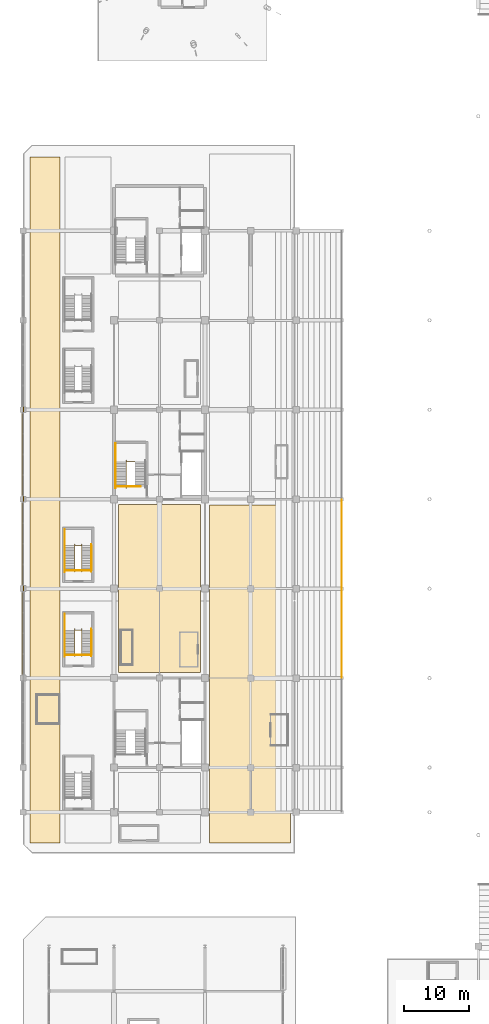
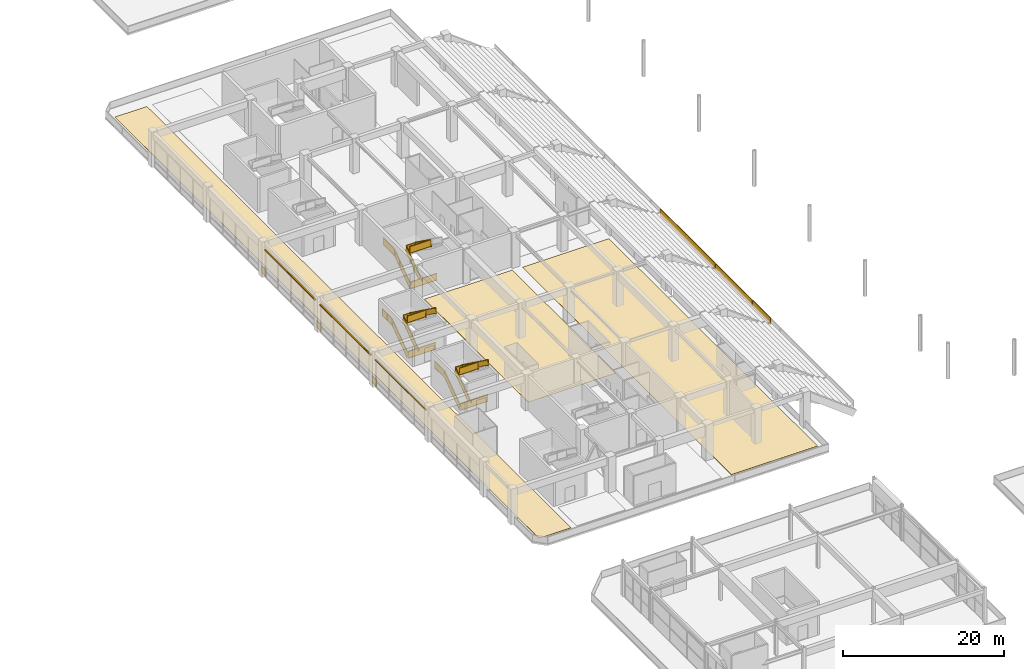
# One storey, part 107 of 117: 16 railings, 3 coverings, 3 shading devices.
"""IFC4 building model written with IfcOpenShell, lengths in metres."""

from ifc_helpers import new_model, si_unit, direction, frame, origin, origin_2d, place, context, subcontext, project, spatial, polyline, rectangle, outline, extrude, material, layer, layer_set, type_object, element, save


model = new_model("IFC4")

# Units and contexts
model_context = context("Model", 3, precision=1e-05, world=origin(), true_north=direction((0.0, 1.0)))
body_context = subcontext(model_context, "Body", "Model", "MODEL_VIEW")
ifc_project = project(units=[si_unit("LENGTHUNIT", "METRE"), si_unit("AREAUNIT", "SQUARE_METRE"), si_unit("VOLUMEUNIT", "CUBIC_METRE"), si_unit("PLANEANGLEUNIT", "RADIAN"), si_unit("MASSUNIT", "GRAM", prefix="KILO")], contexts=[model_context])

# Site, building, storey
site_placement = place(None, origin())
site = spatial("IfcSite", under=ifc_project, at=site_placement, CompositionType="ELEMENT")
building_placement = place(site_placement, origin())
building = spatial("IfcBuilding", under=site, at=building_placement, Name="Linyun Crest Stadium", CompositionType="ELEMENT")
storey_placement = place(building_placement, frame((0.0, 0.0, 6.0)))
storey = spatial("IfcBuildingStorey", under=building, at=storey_placement, Name="L02", CompositionType="ELEMENT", Elevation=6.0)

# Coverings
ifc_material_1 = material(Name="Terrazzo concourse and hospitality floor finish")
ifc_layer_1 = layer(ifc_material_1, 0.02197265625)
ifc_layer_set_1 = layer_set([ifc_layer_1], Name="Terrazzo concourse and hospitality floor finish")
covering_type = type_object("IfcCoveringType", Name="FLR02", PredefinedType="FLOORING", material=ifc_layer_set_1)
covering_1_placement = place(storey_placement, origin())
element("IfcCovering", 1, at=covering_1_placement, inside=storey, type_object=covering_type, Name="Terrazzo flooring FLR02 16", PredefinedType="FLOORING", context=body_context, shape_type="SweptSolid", body=[
    extrude(outline(polyline([(-96.89990234375, -50.699951171875), (-92.300048828125, -50.699951171875), (-92.300048828125, 54.699951171875), (-96.89990234375, 54.699951171875), (-96.89990234375, -50.699951171875)])), origin(), (0.0, 0.0, 1.0), 0.02197265625),
])
covering_2_placement = place(storey_placement, origin())
element("IfcCovering", 2, at=covering_2_placement, inside=storey, type_object=covering_type, Name="Terrazzo flooring FLR02 17", PredefinedType="FLOORING", context=body_context, shape_type="SweptSolid", body=[
    extrude(outline(polyline([(-69.300048828125, -50.699951171875), (-56.89990234375, -50.699951171875), (-56.89990234375, 1.199951171875), (-69.300048828125, 1.199951171875), (-69.300048828125, -50.699951171875)])), origin(), (0.0, 0.0, 1.0), 0.02197265625),
])
covering_3_placement = place(storey_placement, origin())
element("IfcCovering", 3, at=covering_3_placement, inside=storey, type_object=covering_type, Name="Terrazzo flooring FLR02 19", PredefinedType="FLOORING", context=body_context, shape_type="SweptSolid", body=[
    extrude(outline(polyline([(-83.300048828125, -24.5), (-70.699951171875, -24.5), (-70.699951171875, 1.300048828125), (-83.300048828125, 1.300048828125), (-83.300048828125, -24.5)])), origin(), (0.0, 0.0, 1.0), 0.02197265625),
])

# Railings
ifc_material_2 = material(Name="Galvanized and powder-coated steel bowl safety barrier", Category="steel")
railing_type_1 = type_object("IfcRailingType", Name="GR02", PredefinedType="GUARDRAIL", material=ifc_material_2)
for number, where, name in (
    (4, (-49.0, -25.294921875, 0.199951171875), "Bowl front safety guard GR02 18"),
    (5, (-49.0, -11.544921875, 0.199951171875), "Bowl front safety guard GR02 26"),
):
    element("IfcRailing", number, at=place(storey_placement, frame(where)), inside=storey, type_object=railing_type_1, Name=name, PredefinedType="GUARDRAIL", context=body_context, shape_type="SweptSolid", body=[
        extrude(rectangle(XDim=0.06005859375, YDim=0.06005859375, at=origin_2d()), frame((0.0, 0.0, 1.090087890625), z_axis=(0.0, 1.0, 0.0), x_axis=(-1.0, 0.0, 0.0)), (0.0, 0.0, 1.0), 13.58984375),
        extrude(rectangle(XDim=0.030029296875, YDim=1.0, at=origin_2d()), frame((0.0, 0.0, 0.56005859375), z_axis=(0.0, 1.0, 0.0), x_axis=(-1.0, 0.0, 0.0)), (0.0, 0.0, 1.0), 13.58984375),
        extrude(rectangle(XDim=0.06005859375, YDim=0.06005859375, at=origin_2d()), frame((0.0, 0.0, 0.030029296875), z_axis=(0.0, 1.0, 0.0), x_axis=(-1.0, 0.0, 0.0)), (0.0, 0.0, 1.0), 13.58984375),
        extrude(rectangle(XDim=0.050048828125, YDim=0.050048828125, at=origin_2d()), origin(), (0.0, 0.0, 1.0), 1.1201171875),
        extrude(rectangle(XDim=0.050048828125, YDim=0.050048828125, at=origin_2d()), frame((0.0, 2.264892578125, 0.0)), (0.0, 0.0, 1.0), 1.1201171875),
        extrude(rectangle(XDim=0.050048828125, YDim=0.050048828125, at=origin_2d()), frame((0.0, 4.530029296875, 0.0)), (0.0, 0.0, 1.0), 1.1201171875),
        extrude(rectangle(XDim=0.050048828125, YDim=0.050048828125, at=origin_2d()), frame((0.0, 6.794921875, 0.0)), (0.0, 0.0, 1.0), 1.1201171875),
        extrude(rectangle(XDim=0.050048828125, YDim=0.050048828125, at=origin_2d()), frame((0.0, 9.059814453125, 0.0)), (0.0, 0.0, 1.0), 1.1201171875),
        extrude(rectangle(XDim=0.050048828125, YDim=0.050048828125, at=origin_2d()), frame((0.0, 11.324951171875, 0.0)), (0.0, 0.0, 1.0), 1.1201171875),
        extrude(rectangle(XDim=0.050048828125, YDim=0.050048828125, at=origin_2d()), frame((0.0, 13.58984375, 0.0)), (0.0, 0.0, 1.0), 1.1201171875),
    ])
railing_1_placement = place(storey_placement, frame((-91.4599609375, -21.81005859375, 0.0)))
element("IfcRailing", 6, at=railing_1_placement, inside=storey, type_object=railing_type_1, Name="Slab edge balustrade GR02 25", PredefinedType="GUARDRAIL", context=body_context, shape_type="SweptSolid", body=[
    extrude(rectangle(XDim=0.06005859375, YDim=0.06005859375, at=origin_2d()), frame((0.0, 0.0, 1.090087890625), z_axis=(1.0, 0.0, 0.0), x_axis=(0.0, 1.0, 0.0)), (0.0, 0.0, 1.0), 3.919921875),
    extrude(rectangle(XDim=0.030029296875, YDim=1.0, at=origin_2d()), frame((0.0, 0.0, 0.56005859375), z_axis=(1.0, 0.0, 0.0), x_axis=(0.0, 1.0, 0.0)), (0.0, 0.0, 1.0), 3.919921875),
    extrude(rectangle(XDim=0.06005859375, YDim=0.06005859375, at=origin_2d()), frame((0.0, 0.0, 0.030029296875), z_axis=(1.0, 0.0, 0.0), x_axis=(0.0, 1.0, 0.0)), (0.0, 0.0, 1.0), 3.919921875),
    extrude(rectangle(XDim=0.050048828125, YDim=0.050048828125, at=origin_2d()), origin(), (0.0, 0.0, 1.0), 1.1201171875),
    extrude(rectangle(XDim=0.050048828125, YDim=0.050048828125, at=origin_2d()), frame((3.919921875, 0.0, 0.0)), (0.0, 0.0, 1.0), 1.1201171875),
])
for number, where, name in (
    (7, (-97.93994140625, -12.175048828125, 0.0), "Slab edge balustrade GR02 26"),
    (8, (-97.93994140625, 1.574951171875, 0.0), "Slab edge balustrade GR02 27"),
    (9, (-97.93994140625, 15.324951171875, 0.0), "Slab edge balustrade GR02 28"),
):
    element("IfcRailing", number, at=place(storey_placement, frame(where)), inside=storey, type_object=railing_type_1, Name=name, PredefinedType="GUARDRAIL", context=body_context, shape_type="SweptSolid", body=[
        extrude(rectangle(XDim=0.06005859375, YDim=0.06005859375, at=origin_2d()), frame((0.0, 0.0, 1.090087890625), z_axis=(0.0, 1.0, 0.0), x_axis=(-1.0, 0.0, 0.0)), (0.0, 0.0, 1.0), 1.10009765625),
        extrude(rectangle(XDim=0.030029296875, YDim=1.0, at=origin_2d()), frame((0.0, 0.0, 0.56005859375), z_axis=(0.0, 1.0, 0.0), x_axis=(-1.0, 0.0, 0.0)), (0.0, 0.0, 1.0), 1.10009765625),
        extrude(rectangle(XDim=0.06005859375, YDim=0.06005859375, at=origin_2d()), frame((0.0, 0.0, 0.030029296875), z_axis=(0.0, 1.0, 0.0), x_axis=(-1.0, 0.0, 0.0)), (0.0, 0.0, 1.0), 1.10009765625),
        extrude(rectangle(XDim=0.050048828125, YDim=0.050048828125, at=origin_2d()), origin(), (0.0, 0.0, 1.0), 1.1201171875),
        extrude(rectangle(XDim=0.050048828125, YDim=0.050048828125, at=origin_2d()), frame((0.0, 1.10009765625, 0.0)), (0.0, 0.0, 1.0), 1.1201171875),
    ])
railing_2_placement = place(storey_placement, frame((-83.659912109375, 4.0849609375, 0.0)))
element("IfcRailing", 10, at=railing_2_placement, inside=storey, type_object=railing_type_1, Name="Slab edge balustrade GR02 33", PredefinedType="GUARDRAIL", context=body_context, shape_type="SweptSolid", body=[
    extrude(rectangle(XDim=0.06005859375, YDim=0.06005859375, at=origin_2d()), frame((0.0, 0.0, 1.090087890625), z_axis=(1.0, 0.0, 0.0), x_axis=(0.0, 1.0, 0.0)), (0.0, 0.0, 1.0), 3.760009765625),
    extrude(rectangle(XDim=0.030029296875, YDim=1.0, at=origin_2d()), frame((0.0, 0.0, 0.56005859375), z_axis=(1.0, 0.0, 0.0), x_axis=(0.0, 1.0, 0.0)), (0.0, 0.0, 1.0), 3.760009765625),
    extrude(rectangle(XDim=0.06005859375, YDim=0.06005859375, at=origin_2d()), frame((0.0, 0.0, 0.030029296875), z_axis=(1.0, 0.0, 0.0), x_axis=(0.0, 1.0, 0.0)), (0.0, 0.0, 1.0), 3.760009765625),
    extrude(rectangle(XDim=0.050048828125, YDim=0.050048828125, at=origin_2d()), origin(), (0.0, 0.0, 1.0), 1.1201171875),
    extrude(rectangle(XDim=0.050048828125, YDim=0.050048828125, at=origin_2d()), frame((3.760009765625, 0.0, 0.0)), (0.0, 0.0, 1.0), 1.1201171875),
])
railing_3_placement = place(storey_placement, frame((-91.4599609375, -8.81005859375, 0.0)))
element("IfcRailing", 11, at=railing_3_placement, inside=storey, type_object=railing_type_1, Name="Slab edge balustrade GR02 35", PredefinedType="GUARDRAIL", context=body_context, shape_type="SweptSolid", body=[
    extrude(rectangle(XDim=0.06005859375, YDim=0.06005859375, at=origin_2d()), frame((0.0, 0.0, 1.090087890625), z_axis=(1.0, 0.0, 0.0), x_axis=(0.0, 1.0, 0.0)), (0.0, 0.0, 1.0), 3.919921875),
    extrude(rectangle(XDim=0.030029296875, YDim=1.0, at=origin_2d()), frame((0.0, 0.0, 0.56005859375), z_axis=(1.0, 0.0, 0.0), x_axis=(0.0, 1.0, 0.0)), (0.0, 0.0, 1.0), 3.919921875),
    extrude(rectangle(XDim=0.06005859375, YDim=0.06005859375, at=origin_2d()), frame((0.0, 0.0, 0.030029296875), z_axis=(1.0, 0.0, 0.0), x_axis=(0.0, 1.0, 0.0)), (0.0, 0.0, 1.0), 3.919921875),
    extrude(rectangle(XDim=0.050048828125, YDim=0.050048828125, at=origin_2d()), origin(), (0.0, 0.0, 1.0), 1.1201171875),
    extrude(rectangle(XDim=0.050048828125, YDim=0.050048828125, at=origin_2d()), frame((3.919921875, 0.0, 0.0)), (0.0, 0.0, 1.0), 1.1201171875),
])
ifc_material_3 = material(Name="Painted steel stairwell safety guard", Category="steel")
railing_type_2 = type_object("IfcRailingType", Name="GR03", PredefinedType="GUARDRAIL", material=ifc_material_3)
railing_4_placement = place(storey_placement, frame((-83.77001953125, 4.114990234375, 0.0)))
element("IfcRailing", 12, at=railing_4_placement, inside=storey, type_object=railing_type_2, Name="STR-02-L02 outer guard", PredefinedType="GUARDRAIL", context=body_context, shape_type="SweptSolid", body=[
    extrude(rectangle(XDim=0.06005859375, YDim=0.06005859375, at=origin_2d()), frame((0.0, 0.0, 1.090087890625), z_axis=(0.0, 0.811539352079, 0.584297766578), x_axis=(-1.0, 0.0, 0.0)), (0.0, 0.0, 1.0), 4.620849609375),
    extrude(rectangle(XDim=0.030029296875, YDim=1.0, at=origin_2d()), frame((0.0, 0.0, 0.56005859375), z_axis=(0.0, 0.811539352079, 0.584297766578), x_axis=(-1.0, 0.0, 0.0)), (0.0, 0.0, 1.0), 4.620849609375),
    extrude(rectangle(XDim=0.06005859375, YDim=0.06005859375, at=origin_2d()), frame((0.0, 0.0, 0.030029296875), z_axis=(0.0, 0.811539352079, 0.584297766578), x_axis=(-1.0, 0.0, 0.0)), (0.0, 0.0, 1.0), 4.620849609375),
    extrude(rectangle(XDim=0.06005859375, YDim=0.06005859375, at=origin_2d()), frame((0.0, 3.75, 3.7900390625), z_axis=(0.0, 1.0, 0.0), x_axis=(-1.0, 0.0, 0.0)), (0.0, 0.0, 1.0), 2.830078125),
    extrude(rectangle(XDim=0.030029296875, YDim=1.0, at=origin_2d()), frame((0.0, 3.75, 3.260009765625), z_axis=(0.0, 1.0, 0.0), x_axis=(-1.0, 0.0, 0.0)), (0.0, 0.0, 1.0), 2.830078125),
    extrude(rectangle(XDim=0.06005859375, YDim=0.06005859375, at=origin_2d()), frame((0.0, 3.75, 2.72998046875), z_axis=(0.0, 1.0, 0.0), x_axis=(-1.0, 0.0, 0.0)), (0.0, 0.0, 1.0), 2.830078125),
    extrude(rectangle(XDim=0.050048828125, YDim=0.050048828125, at=origin_2d()), origin(), (0.0, 0.0, 1.0), 1.1201171875),
    extrude(rectangle(XDim=0.050048828125, YDim=0.050048828125, at=origin_2d()), frame((0.0, 1.25, 0.89990234375)), (0.0, 0.0, 1.0), 1.1201171875),
    extrude(rectangle(XDim=0.050048828125, YDim=0.050048828125, at=origin_2d()), frame((0.0, 2.5, 1.800048828125)), (0.0, 0.0, 1.0), 1.1201171875),
    extrude(rectangle(XDim=0.050048828125, YDim=0.050048828125, at=origin_2d()), frame((0.0, 3.75, 2.699951171875)), (0.0, 0.0, 1.0), 1.1201171875),
    extrude(rectangle(XDim=0.050048828125, YDim=0.050048828125, at=origin_2d()), frame((0.0, 5.1650390625, 2.699951171875)), (0.0, 0.0, 1.0), 1.1201171875),
    extrude(rectangle(XDim=0.050048828125, YDim=0.050048828125, at=origin_2d()), frame((0.0, 6.580078125, 2.699951171875)), (0.0, 0.0, 1.0), 1.1201171875),
])
railing_5_placement = place(storey_placement, frame((-82.1298828125, 4.094970703125, 0.0)))
element("IfcRailing", 13, at=railing_5_placement, inside=storey, type_object=railing_type_2, Name="STR-02-L02 inner well guard", PredefinedType="GUARDRAIL", context=body_context, shape_type="SweptSolid", body=[
    extrude(rectangle(XDim=0.06005859375, YDim=0.06005859375, at=origin_2d()), frame((0.0, 0.0, 1.090087890625), z_axis=(0.0, 0.813010693788, 0.582248754216), x_axis=(-1.0, 0.0, 0.0)), (0.0, 0.0, 1.0), 4.63720703125),
    extrude(rectangle(XDim=0.030029296875, YDim=1.0, at=origin_2d()), frame((0.0, 0.0, 0.56005859375), z_axis=(0.0, 0.813010693788, 0.582248754216), x_axis=(-1.0, 0.0, 0.0)), (0.0, 0.0, 1.0), 4.63720703125),
    extrude(rectangle(XDim=0.06005859375, YDim=0.06005859375, at=origin_2d()), frame((0.0, 0.0, 0.030029296875), z_axis=(0.0, 0.813010693788, 0.582248754216), x_axis=(-1.0, 0.0, 0.0)), (0.0, 0.0, 1.0), 4.63720703125),
    extrude(rectangle(XDim=0.06005859375, YDim=0.06005859375, at=origin_2d()), frame((0.0, 3.77001953125, 3.7900390625), z_axis=(1.0, 0.0, 0.0), x_axis=(0.0, 1.0, 0.0)), (0.0, 0.0, 1.0), 1.35986328125),
    extrude(rectangle(XDim=0.030029296875, YDim=1.0, at=origin_2d()), frame((0.0, 3.77001953125, 3.260009765625), z_axis=(1.0, 0.0, 0.0), x_axis=(0.0, 1.0, 0.0)), (0.0, 0.0, 1.0), 1.35986328125),
    extrude(rectangle(XDim=0.06005859375, YDim=0.06005859375, at=origin_2d()), frame((0.0, 3.77001953125, 2.72998046875), z_axis=(1.0, 0.0, 0.0), x_axis=(0.0, 1.0, 0.0)), (0.0, 0.0, 1.0), 1.35986328125),
    extrude(rectangle(XDim=0.06005859375, YDim=0.06005859375, at=origin_2d()), frame((1.35986328125, 3.77001953125, 3.7900390625), z_axis=(0.0, -0.813010693788, 0.582248754216), x_axis=(1.0, 0.0, 0.0)), (0.0, 0.0, 1.0), 4.63720703125),
    extrude(rectangle(XDim=0.030029296875, YDim=1.0, at=origin_2d()), frame((1.35986328125, 3.77001953125, 3.260009765625), z_axis=(0.0, -0.813010693788, 0.582248754216), x_axis=(1.0, 0.0, 0.0)), (0.0, 0.0, 1.0), 4.63720703125),
    extrude(rectangle(XDim=0.06005859375, YDim=0.06005859375, at=origin_2d()), frame((1.35986328125, 3.77001953125, 2.72998046875), z_axis=(0.0, -0.813010693788, 0.582248754216), x_axis=(1.0, 0.0, 0.0)), (0.0, 0.0, 1.0), 4.63720703125),
    extrude(rectangle(XDim=0.06005859375, YDim=0.06005859375, at=origin_2d()), frame((1.35986328125, 0.0, 6.489990234375), z_axis=(-1.0, 0.0, 0.0), x_axis=(0.0, -1.0, 0.0)), (0.0, 0.0, 1.0), 3.010009765625),
    extrude(rectangle(XDim=0.030029296875, YDim=1.0, at=origin_2d()), frame((1.35986328125, 0.0, 5.9599609375), z_axis=(-1.0, 0.0, 0.0), x_axis=(0.0, -1.0, 0.0)), (0.0, 0.0, 1.0), 3.010009765625),
    extrude(rectangle(XDim=0.06005859375, YDim=0.06005859375, at=origin_2d()), frame((1.35986328125, 0.0, 5.429931640625), z_axis=(-1.0, 0.0, 0.0), x_axis=(0.0, -1.0, 0.0)), (0.0, 0.0, 1.0), 3.010009765625),
    extrude(rectangle(XDim=0.050048828125, YDim=0.050048828125, at=origin_2d()), origin(), (0.0, 0.0, 1.0), 1.1201171875),
    extrude(rectangle(XDim=0.050048828125, YDim=0.050048828125, at=origin_2d()), frame((0.0, 1.256591796875, 0.89990234375)), (0.0, 0.0, 1.0), 1.1201171875),
    extrude(rectangle(XDim=0.050048828125, YDim=0.050048828125, at=origin_2d()), frame((0.0, 2.513427734375, 1.800048828125)), (0.0, 0.0, 1.0), 1.1201171875),
    extrude(rectangle(XDim=0.050048828125, YDim=0.050048828125, at=origin_2d()), frame((0.0, 3.77001953125, 2.699951171875)), (0.0, 0.0, 1.0), 1.1201171875),
    extrude(rectangle(XDim=0.050048828125, YDim=0.050048828125, at=origin_2d()), frame((1.35986328125, 3.77001953125, 2.699951171875)), (0.0, 0.0, 1.0), 1.1201171875),
    extrude(rectangle(XDim=0.050048828125, YDim=0.050048828125, at=origin_2d()), frame((1.35986328125, 2.513427734375, 3.599853515625)), (0.0, 0.0, 1.0), 1.1201171875),
    extrude(rectangle(XDim=0.050048828125, YDim=0.050048828125, at=origin_2d()), frame((1.35986328125, 1.256591796875, 4.5)), (0.0, 0.0, 1.0), 1.1201171875),
    extrude(rectangle(XDim=0.050048828125, YDim=0.050048828125, at=origin_2d()), frame((1.35986328125, 0.0, 5.39990234375)), (0.0, 0.0, 1.0), 1.1201171875),
    extrude(rectangle(XDim=0.050048828125, YDim=0.050048828125, at=origin_2d()), frame((-0.14501953125, 0.0, 5.39990234375)), (0.0, 0.0, 1.0), 1.1201171875),
    extrude(rectangle(XDim=0.050048828125, YDim=0.050048828125, at=origin_2d()), frame((-1.650146484375, 0.0, 5.39990234375)), (0.0, 0.0, 1.0), 1.1201171875),
])
railing_6_placement = place(storey_placement, frame((-91.570068359375, -21.780029296875, 0.0)))
element("IfcRailing", 14, at=railing_6_placement, inside=storey, type_object=railing_type_2, Name="STR-14-L02 outer guard", PredefinedType="GUARDRAIL", context=body_context, shape_type="SweptSolid", body=[
    extrude(rectangle(XDim=0.06005859375, YDim=0.06005859375, at=origin_2d()), frame((0.0, 0.0, 1.090087890625), z_axis=(0.0, 0.811539352079, 0.584297766578), x_axis=(-1.0, 0.0, 0.0)), (0.0, 0.0, 1.0), 4.620849609375),
    extrude(rectangle(XDim=0.030029296875, YDim=1.0, at=origin_2d()), frame((0.0, 0.0, 0.56005859375), z_axis=(0.0, 0.811539352079, 0.584297766578), x_axis=(-1.0, 0.0, 0.0)), (0.0, 0.0, 1.0), 4.620849609375),
    extrude(rectangle(XDim=0.06005859375, YDim=0.06005859375, at=origin_2d()), frame((0.0, 0.0, 0.030029296875), z_axis=(0.0, 0.811539352079, 0.584297766578), x_axis=(-1.0, 0.0, 0.0)), (0.0, 0.0, 1.0), 4.620849609375),
    extrude(rectangle(XDim=0.06005859375, YDim=0.06005859375, at=origin_2d()), frame((0.0, 3.75, 3.7900390625), z_axis=(0.0, 1.0, 0.0), x_axis=(-1.0, 0.0, 0.0)), (0.0, 0.0, 1.0), 2.5),
    extrude(rectangle(XDim=0.030029296875, YDim=1.0, at=origin_2d()), frame((0.0, 3.75, 3.260009765625), z_axis=(0.0, 1.0, 0.0), x_axis=(-1.0, 0.0, 0.0)), (0.0, 0.0, 1.0), 2.5),
    extrude(rectangle(XDim=0.06005859375, YDim=0.06005859375, at=origin_2d()), frame((0.0, 3.75, 2.72998046875), z_axis=(0.0, 1.0, 0.0), x_axis=(-1.0, 0.0, 0.0)), (0.0, 0.0, 1.0), 2.5),
    extrude(rectangle(XDim=0.050048828125, YDim=0.050048828125, at=origin_2d()), origin(), (0.0, 0.0, 1.0), 1.1201171875),
    extrude(rectangle(XDim=0.050048828125, YDim=0.050048828125, at=origin_2d()), frame((0.0, 1.25, 0.89990234375)), (0.0, 0.0, 1.0), 1.1201171875),
    extrude(rectangle(XDim=0.050048828125, YDim=0.050048828125, at=origin_2d()), frame((0.0, 2.5, 1.800048828125)), (0.0, 0.0, 1.0), 1.1201171875),
    extrude(rectangle(XDim=0.050048828125, YDim=0.050048828125, at=origin_2d()), frame((0.0, 3.75, 2.699951171875)), (0.0, 0.0, 1.0), 1.1201171875),
    extrude(rectangle(XDim=0.050048828125, YDim=0.050048828125, at=origin_2d()), frame((0.0, 5.0, 2.699951171875)), (0.0, 0.0, 1.0), 1.1201171875),
    extrude(rectangle(XDim=0.050048828125, YDim=0.050048828125, at=origin_2d()), frame((0.0, 6.25, 2.699951171875)), (0.0, 0.0, 1.0), 1.1201171875),
])
railing_7_placement = place(storey_placement, frame((-90.030029296875, -21.800048828125, 0.0)))
element("IfcRailing", 15, at=railing_7_placement, inside=storey, type_object=railing_type_2, Name="STR-14-L02 inner well guard", PredefinedType="GUARDRAIL", context=body_context, shape_type="SweptSolid", body=[
    extrude(rectangle(XDim=0.06005859375, YDim=0.06005859375, at=origin_2d()), frame((0.0, 0.0, 1.090087890625), z_axis=(0.0, 0.813010693788, 0.582248754216), x_axis=(-1.0, 0.0, 0.0)), (0.0, 0.0, 1.0), 4.63720703125),
    extrude(rectangle(XDim=0.030029296875, YDim=1.0, at=origin_2d()), frame((0.0, 0.0, 0.56005859375), z_axis=(0.0, 0.813010693788, 0.582248754216), x_axis=(-1.0, 0.0, 0.0)), (0.0, 0.0, 1.0), 4.63720703125),
    extrude(rectangle(XDim=0.06005859375, YDim=0.06005859375, at=origin_2d()), frame((0.0, 0.0, 0.030029296875), z_axis=(0.0, 0.813010693788, 0.582248754216), x_axis=(-1.0, 0.0, 0.0)), (0.0, 0.0, 1.0), 4.63720703125),
    extrude(rectangle(XDim=0.06005859375, YDim=0.06005859375, at=origin_2d()), frame((0.0, 3.77001953125, 3.7900390625), z_axis=(1.0, 0.0, 0.0), x_axis=(0.0, 1.0, 0.0)), (0.0, 0.0, 1.0), 1.06005859375),
    extrude(rectangle(XDim=0.030029296875, YDim=1.0, at=origin_2d()), frame((0.0, 3.77001953125, 3.260009765625), z_axis=(1.0, 0.0, 0.0), x_axis=(0.0, 1.0, 0.0)), (0.0, 0.0, 1.0), 1.06005859375),
    extrude(rectangle(XDim=0.06005859375, YDim=0.06005859375, at=origin_2d()), frame((0.0, 3.77001953125, 2.72998046875), z_axis=(1.0, 0.0, 0.0), x_axis=(0.0, 1.0, 0.0)), (0.0, 0.0, 1.0), 1.06005859375),
    extrude(rectangle(XDim=0.06005859375, YDim=0.06005859375, at=origin_2d()), frame((1.06005859375, 3.77001953125, 3.7900390625), z_axis=(0.0, -0.813010693788, 0.582248754216), x_axis=(1.0, 0.0, 0.0)), (0.0, 0.0, 1.0), 4.63720703125),
    extrude(rectangle(XDim=0.030029296875, YDim=1.0, at=origin_2d()), frame((1.06005859375, 3.77001953125, 3.260009765625), z_axis=(0.0, -0.813010693788, 0.582248754216), x_axis=(1.0, 0.0, 0.0)), (0.0, 0.0, 1.0), 4.63720703125),
    extrude(rectangle(XDim=0.06005859375, YDim=0.06005859375, at=origin_2d()), frame((1.06005859375, 3.77001953125, 2.72998046875), z_axis=(0.0, -0.813010693788, 0.582248754216), x_axis=(1.0, 0.0, 0.0)), (0.0, 0.0, 1.0), 4.63720703125),
    extrude(rectangle(XDim=0.06005859375, YDim=0.06005859375, at=origin_2d()), frame((1.06005859375, 0.0, 6.489990234375), z_axis=(-1.0, 0.0, 0.0), x_axis=(0.0, -1.0, 0.0)), (0.0, 0.0, 1.0), 2.610107421875),
    extrude(rectangle(XDim=0.030029296875, YDim=1.0, at=origin_2d()), frame((1.06005859375, 0.0, 5.9599609375), z_axis=(-1.0, 0.0, 0.0), x_axis=(0.0, -1.0, 0.0)), (0.0, 0.0, 1.0), 2.610107421875),
    extrude(rectangle(XDim=0.06005859375, YDim=0.06005859375, at=origin_2d()), frame((1.06005859375, 0.0, 5.429931640625), z_axis=(-1.0, 0.0, 0.0), x_axis=(0.0, -1.0, 0.0)), (0.0, 0.0, 1.0), 2.610107421875),
    extrude(rectangle(XDim=0.050048828125, YDim=0.050048828125, at=origin_2d()), origin(), (0.0, 0.0, 1.0), 1.1201171875),
    extrude(rectangle(XDim=0.050048828125, YDim=0.050048828125, at=origin_2d()), frame((0.0, 1.256591796875, 0.89990234375)), (0.0, 0.0, 1.0), 1.1201171875),
    extrude(rectangle(XDim=0.050048828125, YDim=0.050048828125, at=origin_2d()), frame((0.0, 2.513427734375, 1.800048828125)), (0.0, 0.0, 1.0), 1.1201171875),
    extrude(rectangle(XDim=0.050048828125, YDim=0.050048828125, at=origin_2d()), frame((0.0, 3.77001953125, 2.699951171875)), (0.0, 0.0, 1.0), 1.1201171875),
    extrude(rectangle(XDim=0.050048828125, YDim=0.050048828125, at=origin_2d()), frame((1.06005859375, 3.77001953125, 2.699951171875)), (0.0, 0.0, 1.0), 1.1201171875),
    extrude(rectangle(XDim=0.050048828125, YDim=0.050048828125, at=origin_2d()), frame((1.06005859375, 2.513427734375, 3.599853515625)), (0.0, 0.0, 1.0), 1.1201171875),
    extrude(rectangle(XDim=0.050048828125, YDim=0.050048828125, at=origin_2d()), frame((1.06005859375, 1.256591796875, 4.5)), (0.0, 0.0, 1.0), 1.1201171875),
    extrude(rectangle(XDim=0.050048828125, YDim=0.050048828125, at=origin_2d()), frame((1.06005859375, 0.0, 5.39990234375)), (0.0, 0.0, 1.0), 1.1201171875),
    extrude(rectangle(XDim=0.050048828125, YDim=0.050048828125, at=origin_2d()), frame((-0.2451171875, 0.0, 5.39990234375)), (0.0, 0.0, 1.0), 1.1201171875),
    extrude(rectangle(XDim=0.050048828125, YDim=0.050048828125, at=origin_2d()), frame((-1.550048828125, 0.0, 5.39990234375)), (0.0, 0.0, 1.0), 1.1201171875),
])
railing_8_placement = place(storey_placement, frame((-91.570068359375, -8.780029296875, 0.0)))
element("IfcRailing", 16, at=railing_8_placement, inside=storey, type_object=railing_type_2, Name="STR-15-L02 outer guard", PredefinedType="GUARDRAIL", context=body_context, shape_type="SweptSolid", body=[
    extrude(rectangle(XDim=0.06005859375, YDim=0.06005859375, at=origin_2d()), frame((0.0, 0.0, 1.090087890625), z_axis=(0.0, 0.811539352079, 0.584297766578), x_axis=(-1.0, 0.0, 0.0)), (0.0, 0.0, 1.0), 4.620849609375),
    extrude(rectangle(XDim=0.030029296875, YDim=1.0, at=origin_2d()), frame((0.0, 0.0, 0.56005859375), z_axis=(0.0, 0.811539352079, 0.584297766578), x_axis=(-1.0, 0.0, 0.0)), (0.0, 0.0, 1.0), 4.620849609375),
    extrude(rectangle(XDim=0.06005859375, YDim=0.06005859375, at=origin_2d()), frame((0.0, 0.0, 0.030029296875), z_axis=(0.0, 0.811539352079, 0.584297766578), x_axis=(-1.0, 0.0, 0.0)), (0.0, 0.0, 1.0), 4.620849609375),
    extrude(rectangle(XDim=0.06005859375, YDim=0.06005859375, at=origin_2d()), frame((0.0, 3.75, 3.7900390625), z_axis=(0.0, 1.0, 0.0), x_axis=(-1.0, 0.0, 0.0)), (0.0, 0.0, 1.0), 2.5),
    extrude(rectangle(XDim=0.030029296875, YDim=1.0, at=origin_2d()), frame((0.0, 3.75, 3.260009765625), z_axis=(0.0, 1.0, 0.0), x_axis=(-1.0, 0.0, 0.0)), (0.0, 0.0, 1.0), 2.5),
    extrude(rectangle(XDim=0.06005859375, YDim=0.06005859375, at=origin_2d()), frame((0.0, 3.75, 2.72998046875), z_axis=(0.0, 1.0, 0.0), x_axis=(-1.0, 0.0, 0.0)), (0.0, 0.0, 1.0), 2.5),
    extrude(rectangle(XDim=0.050048828125, YDim=0.050048828125, at=origin_2d()), origin(), (0.0, 0.0, 1.0), 1.1201171875),
    extrude(rectangle(XDim=0.050048828125, YDim=0.050048828125, at=origin_2d()), frame((0.0, 1.25, 0.89990234375)), (0.0, 0.0, 1.0), 1.1201171875),
    extrude(rectangle(XDim=0.050048828125, YDim=0.050048828125, at=origin_2d()), frame((0.0, 2.5, 1.800048828125)), (0.0, 0.0, 1.0), 1.1201171875),
    extrude(rectangle(XDim=0.050048828125, YDim=0.050048828125, at=origin_2d()), frame((0.0, 3.75, 2.699951171875)), (0.0, 0.0, 1.0), 1.1201171875),
    extrude(rectangle(XDim=0.050048828125, YDim=0.050048828125, at=origin_2d()), frame((0.0, 5.0, 2.699951171875)), (0.0, 0.0, 1.0), 1.1201171875),
    extrude(rectangle(XDim=0.050048828125, YDim=0.050048828125, at=origin_2d()), frame((0.0, 6.25, 2.699951171875)), (0.0, 0.0, 1.0), 1.1201171875),
])
railing_9_placement = place(storey_placement, frame((-90.030029296875, -8.800048828125, 0.0)))
element("IfcRailing", 17, at=railing_9_placement, inside=storey, type_object=railing_type_2, Name="STR-15-L02 inner well guard", PredefinedType="GUARDRAIL", context=body_context, shape_type="SweptSolid", body=[
    extrude(rectangle(XDim=0.06005859375, YDim=0.06005859375, at=origin_2d()), frame((0.0, 0.0, 1.090087890625), z_axis=(0.0, 0.813010693788, 0.582248754216), x_axis=(-1.0, 0.0, 0.0)), (0.0, 0.0, 1.0), 4.63720703125),
    extrude(rectangle(XDim=0.030029296875, YDim=1.0, at=origin_2d()), frame((0.0, 0.0, 0.56005859375), z_axis=(0.0, 0.813010693788, 0.582248754216), x_axis=(-1.0, 0.0, 0.0)), (0.0, 0.0, 1.0), 4.63720703125),
    extrude(rectangle(XDim=0.06005859375, YDim=0.06005859375, at=origin_2d()), frame((0.0, 0.0, 0.030029296875), z_axis=(0.0, 0.813010693788, 0.582248754216), x_axis=(-1.0, 0.0, 0.0)), (0.0, 0.0, 1.0), 4.63720703125),
    extrude(rectangle(XDim=0.06005859375, YDim=0.06005859375, at=origin_2d()), frame((0.0, 3.77001953125, 3.7900390625), z_axis=(1.0, 0.0, 0.0), x_axis=(0.0, 1.0, 0.0)), (0.0, 0.0, 1.0), 1.06005859375),
    extrude(rectangle(XDim=0.030029296875, YDim=1.0, at=origin_2d()), frame((0.0, 3.77001953125, 3.260009765625), z_axis=(1.0, 0.0, 0.0), x_axis=(0.0, 1.0, 0.0)), (0.0, 0.0, 1.0), 1.06005859375),
    extrude(rectangle(XDim=0.06005859375, YDim=0.06005859375, at=origin_2d()), frame((0.0, 3.77001953125, 2.72998046875), z_axis=(1.0, 0.0, 0.0), x_axis=(0.0, 1.0, 0.0)), (0.0, 0.0, 1.0), 1.06005859375),
    extrude(rectangle(XDim=0.06005859375, YDim=0.06005859375, at=origin_2d()), frame((1.06005859375, 3.77001953125, 3.7900390625), z_axis=(0.0, -0.813010693788, 0.582248754216), x_axis=(1.0, 0.0, 0.0)), (0.0, 0.0, 1.0), 4.63720703125),
    extrude(rectangle(XDim=0.030029296875, YDim=1.0, at=origin_2d()), frame((1.06005859375, 3.77001953125, 3.260009765625), z_axis=(0.0, -0.813010693788, 0.582248754216), x_axis=(1.0, 0.0, 0.0)), (0.0, 0.0, 1.0), 4.63720703125),
    extrude(rectangle(XDim=0.06005859375, YDim=0.06005859375, at=origin_2d()), frame((1.06005859375, 3.77001953125, 2.72998046875), z_axis=(0.0, -0.813010693788, 0.582248754216), x_axis=(1.0, 0.0, 0.0)), (0.0, 0.0, 1.0), 4.63720703125),
    extrude(rectangle(XDim=0.06005859375, YDim=0.06005859375, at=origin_2d()), frame((1.06005859375, 0.0, 6.489990234375), z_axis=(-1.0, 0.0, 0.0), x_axis=(0.0, -1.0, 0.0)), (0.0, 0.0, 1.0), 2.610107421875),
    extrude(rectangle(XDim=0.030029296875, YDim=1.0, at=origin_2d()), frame((1.06005859375, 0.0, 5.9599609375), z_axis=(-1.0, 0.0, 0.0), x_axis=(0.0, -1.0, 0.0)), (0.0, 0.0, 1.0), 2.610107421875),
    extrude(rectangle(XDim=0.06005859375, YDim=0.06005859375, at=origin_2d()), frame((1.06005859375, 0.0, 5.429931640625), z_axis=(-1.0, 0.0, 0.0), x_axis=(0.0, -1.0, 0.0)), (0.0, 0.0, 1.0), 2.610107421875),
    extrude(rectangle(XDim=0.050048828125, YDim=0.050048828125, at=origin_2d()), origin(), (0.0, 0.0, 1.0), 1.1201171875),
    extrude(rectangle(XDim=0.050048828125, YDim=0.050048828125, at=origin_2d()), frame((0.0, 1.256591796875, 0.89990234375)), (0.0, 0.0, 1.0), 1.1201171875),
    extrude(rectangle(XDim=0.050048828125, YDim=0.050048828125, at=origin_2d()), frame((0.0, 2.513427734375, 1.800048828125)), (0.0, 0.0, 1.0), 1.1201171875),
    extrude(rectangle(XDim=0.050048828125, YDim=0.050048828125, at=origin_2d()), frame((0.0, 3.77001953125, 2.699951171875)), (0.0, 0.0, 1.0), 1.1201171875),
    extrude(rectangle(XDim=0.050048828125, YDim=0.050048828125, at=origin_2d()), frame((1.06005859375, 3.77001953125, 2.699951171875)), (0.0, 0.0, 1.0), 1.1201171875),
    extrude(rectangle(XDim=0.050048828125, YDim=0.050048828125, at=origin_2d()), frame((1.06005859375, 2.513427734375, 3.599853515625)), (0.0, 0.0, 1.0), 1.1201171875),
    extrude(rectangle(XDim=0.050048828125, YDim=0.050048828125, at=origin_2d()), frame((1.06005859375, 1.256591796875, 4.5)), (0.0, 0.0, 1.0), 1.1201171875),
    extrude(rectangle(XDim=0.050048828125, YDim=0.050048828125, at=origin_2d()), frame((1.06005859375, 0.0, 5.39990234375)), (0.0, 0.0, 1.0), 1.1201171875),
    extrude(rectangle(XDim=0.050048828125, YDim=0.050048828125, at=origin_2d()), frame((-0.2451171875, 0.0, 5.39990234375)), (0.0, 0.0, 1.0), 1.1201171875),
    extrude(rectangle(XDim=0.050048828125, YDim=0.050048828125, at=origin_2d()), frame((-1.550048828125, 0.0, 5.39990234375)), (0.0, 0.0, 1.0), 1.1201171875),
])
ifc_material_4 = material(Name="Brushed stainless steel tubular handrail", Category="steel")
railing_type_3 = type_object("IfcRailingType", Name="HR01", PredefinedType="HANDRAIL", material=ifc_material_4)
for number, where, name in (
    (18, (-87.47998046875, -18.030029296875, 2.699951171875), "STR-14-L02 handrail"),
    (19, (-87.47998046875, -5.030029296875, 2.699951171875), "STR-15-L02 handrail"),
):
    element("IfcRailing", number, at=place(storey_placement, frame(where)), inside=storey, type_object=railing_type_3, Name=name, PredefinedType="HANDRAIL", context=body_context, shape_type="SweptSolid", body=[
        extrude(rectangle(XDim=0.06005859375, YDim=0.06005859375, at=origin_2d()), frame((0.0, 0.0, 0.889892578125), z_axis=(0.0, -0.811539352079, 0.584297766578), x_axis=(1.0, 0.0, 0.0)), (0.0, 0.0, 1.0), 4.620849609375),
        extrude(rectangle(XDim=0.030029296875, YDim=0.7998046875, at=origin_2d()), frame((0.0, 0.0, 0.4599609375), z_axis=(0.0, -0.811539352079, 0.584297766578), x_axis=(1.0, 0.0, 0.0)), (0.0, 0.0, 1.0), 4.620849609375),
        extrude(rectangle(XDim=0.06005859375, YDim=0.06005859375, at=origin_2d()), frame((0.0, 0.0, 0.030029296875), z_axis=(0.0, -0.811539352079, 0.584297766578), x_axis=(1.0, 0.0, 0.0)), (0.0, 0.0, 1.0), 4.620849609375),
        extrude(rectangle(XDim=0.050048828125, YDim=0.050048828125, at=origin_2d()), origin(), (0.0, 0.0, 1.0), 0.919921875),
        extrude(rectangle(XDim=0.050048828125, YDim=0.050048828125, at=origin_2d()), frame((0.0, -1.25, 0.89990234375)), (0.0, 0.0, 1.0), 0.919921875),
        extrude(rectangle(XDim=0.050048828125, YDim=0.050048828125, at=origin_2d()), frame((0.0, -2.5, 1.800048828125)), (0.0, 0.0, 1.0), 0.919921875),
        extrude(rectangle(XDim=0.050048828125, YDim=0.050048828125, at=origin_2d()), frame((0.0, -3.75, 2.699951171875)), (0.0, 0.0, 1.0), 0.919921875),
    ])

# Shading devices
ifc_material_5 = material(Name="Verdigris painted aluminium sun-louvre screen", Category="aluminium")
ifc_layer_2 = layer(ifc_material_5, 0.080078125)
ifc_layer_set_2 = layer_set([ifc_layer_2], Name="Verdigris painted aluminium sun-louvre screen")
shading_device_type = type_object("IfcShadingDeviceType", Name="SD01", PredefinedType="JALOUSIE", material=ifc_layer_set_2)
for number, where, z_axis, x_axis, name in (
    (20, (-98.1201171875, -18.5, 4.159912109375), (0.0, 0.0, 1.0), (1.0, 0.0, 0.0), "Veranda monsoon louvre SD01 241"),
    (21, (-98.1201171875, -4.75, 4.159912109375), (0.0, 0.0, 1.0), (1.0, 0.0, 0.0), "Veranda monsoon louvre SD01 245"),
    (22, (-98.1201171875, 9.0, 4.159912109375), (0.0, 0.0, 1.0), (1.0, 0.0, 0.0), "Veranda monsoon louvre SD01 249"),
):
    element("IfcShadingDevice", number, at=place(storey_placement, frame(where, z_axis=z_axis, x_axis=x_axis)), inside=storey, type_object=shading_device_type, Name=name, PredefinedType="JALOUSIE", context=body_context, shape_type="SweptSolid", body=[
        extrude(rectangle(XDim=0.159912109375, YDim=12.550048828125, at=origin_2d()), origin(), (0.0, 0.0, 1.0), 0.1201171875),
    ])

save(model, "model.ifc")
